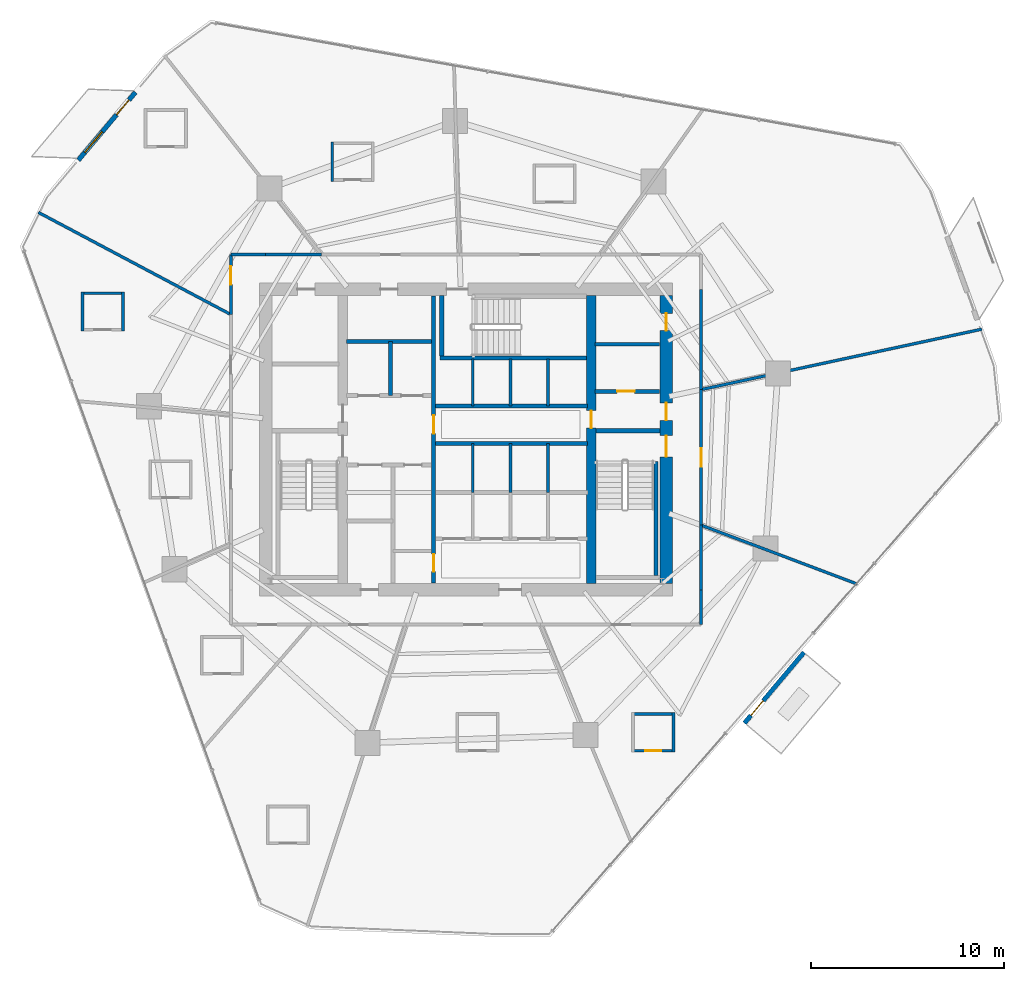
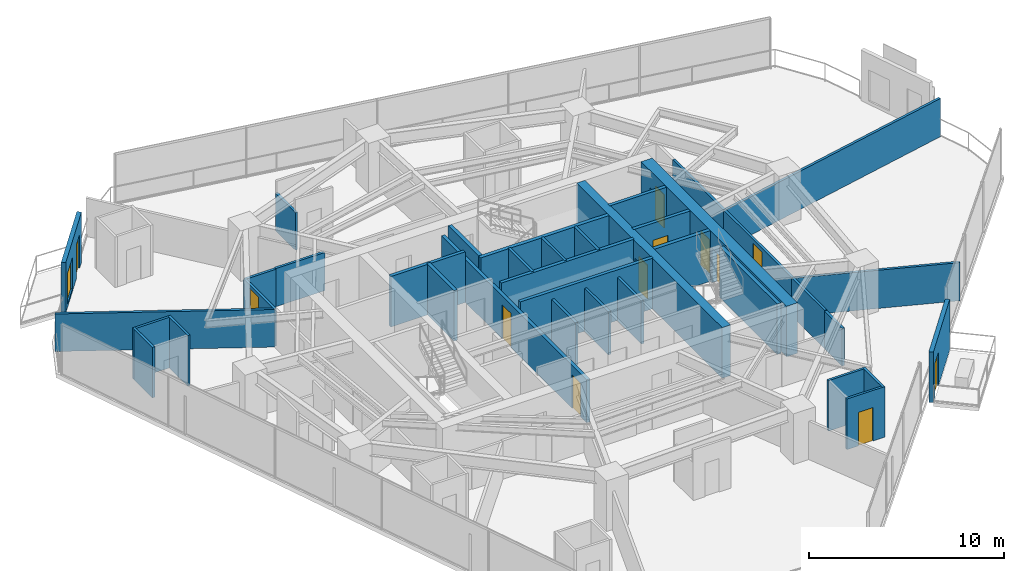
# One storey, part 28 of 33: 38 walls, 12 doors, 1 window, 13 openings.
"""IFC4 building model written with IfcOpenShell, lengths in metres."""

from ifc_helpers import new_model, si_unit, direction, frame, frame_2d, origin, place, context, subcontext, project, spatial, rectangle, extrude, material, layer, layer_set, type_object, element, fill, save


model = new_model("IFC4")

# Units and contexts
model_context = context("Model", 3, precision=1e-05, world=origin(), true_north=direction((0.0, 1.0)))
body_context = subcontext(model_context, "Body", "Model", "MODEL_VIEW")
ifc_project = project(units=[si_unit("LENGTHUNIT", "METRE"), si_unit("AREAUNIT", "SQUARE_METRE"), si_unit("VOLUMEUNIT", "CUBIC_METRE"), si_unit("PLANEANGLEUNIT", "RADIAN"), si_unit("MASSUNIT", "GRAM", prefix="KILO")], contexts=[model_context])

# Site, building, storey
site_placement = place(None, origin())
site = spatial("IfcSite", under=ifc_project, at=site_placement, CompositionType="ELEMENT")
building_placement = place(site_placement, origin())
building = spatial("IfcBuilding", under=site, at=building_placement, Name="Qarnah Convention Tower", CompositionType="ELEMENT")
storey_placement = place(building_placement, frame((0.0, 0.0, 30.449951171875)))
storey = spatial("IfcBuildingStorey", under=building, at=storey_placement, Name="L06", CompositionType="ELEMENT", Elevation=30.449951171875)

# Wall, openings, doors
ifc_material_1 = material(Name="Concrete C60/75", Category="concrete")
ifc_layer_1 = layer(ifc_material_1, 0.64990234375)
ifc_layer_set_1 = layer_set([ifc_layer_1], Name="Concrete C60/75")
wall_type_1 = type_object("IfcWallType", Name="WL-CORE-650", PredefinedType="SHEAR", material=ifc_layer_set_1)
wall_1_placement = place(storey_placement, frame((47.60009765625, 18.925048828125, 0.0), z_axis=(0.0, 0.0, 1.0), x_axis=(0.0, 1.0, 0.0)))
wall_1 = element("IfcWall", 1, at=wall_1_placement, inside=storey, type_object=wall_type_1, Name="L06 core east shear wall", PredefinedType="SHEAR", context=body_context, shape_type="SweptSolid", body=[
    extrude(rectangle(XDim=14.949951171875, YDim=0.64990234375, at=frame_2d((7.47509765625, 0.0))), origin(), (0.0, 0.0, 1.0), 3.170166015625),
])
opening_1_placement = place(wall_1_placement, frame((6.574951171875, 0.0, 0.0)))
opening_1 = element("IfcOpeningElement", 2, at=opening_1_placement, cuts=wall_1, Name="Opening D-0602", PredefinedType="OPENING", context=body_context, shape_type="SweptSolid", body=[
    extrude(rectangle(XDim=1.10009765625, YDim=2.14990234375, at=frame_2d((0.550048828125, 1.074951171875))), frame((0.0, 0.3349609375, 0.0), z_axis=(0.0, -1.0, 0.0), x_axis=(1.0, 0.0, 0.0)), (0.0, 0.0, 1.0), 0.669921875),
])
opening_2_placement = place(wall_1_placement, frame((8.47509765625, 0.0, 0.0)))
opening_2 = element("IfcOpeningElement", 3, at=opening_2_placement, cuts=wall_1, Name="Opening D-0606", PredefinedType="OPENING", context=body_context, shape_type="SweptSolid", body=[
    extrude(rectangle(XDim=0.89990234375, YDim=2.10009765625, at=frame_2d((0.449951171875, 1.050048828125))), frame((0.0, 0.3349609375, 0.0), z_axis=(0.0, -1.0, 0.0), x_axis=(1.0, 0.0, 0.0)), (0.0, 0.0, 1.0), 0.669921875),
])
opening_3_placement = place(wall_1_placement, frame((13.125, 0.0, 0.0)))
opening_3 = element("IfcOpeningElement", 4, at=opening_3_placement, cuts=wall_1, Name="Opening D-0612", PredefinedType="OPENING", context=body_context, shape_type="SweptSolid", body=[
    extrude(rectangle(XDim=0.89990234375, YDim=2.10009765625, at=frame_2d((0.449951171875, 1.050048828125))), frame((0.0, 0.3349609375, 0.0), z_axis=(0.0, -1.0, 0.0), x_axis=(1.0, 0.0, 0.0)), (0.0, 0.0, 1.0), 0.669921875),
])
ifc_material_2 = material(Name="Structural steel S355JR", Category="steel")
door_type_1 = type_object("IfcDoorType", Name="DT-RISER-900", OperationType="NOTDEFINED", PredefinedType="DOOR", material=ifc_material_2)
door_1_placement = place(opening_2_placement, origin())
door_1 = element("IfcDoor", 5, at=door_1_placement, inside=storey, type_object=door_type_1, Name="Door D-0606", OperationType="SINGLE_SWING_LEFT", OverallHeight=2.10009765625, OverallWidth=0.89990234375, PredefinedType="DOOR", context=body_context, shape_type="SweptSolid", body=[
    extrude(rectangle(XDim=0.89990234375, YDim=2.10009765625, at=frame_2d((0.449951171875, 1.050048828125))), frame((0.0, 0.02490234375, 0.0), z_axis=(0.0, -1.0, 0.0), x_axis=(1.0, 0.0, 0.0)), (0.0, 0.0, 1.0), 0.050048828125),
])
fill(opening_2, door_1)
door_2_placement = place(opening_3_placement, origin())
door_2 = element("IfcDoor", 6, at=door_2_placement, inside=storey, type_object=door_type_1, Name="Door D-0612", OperationType="SINGLE_SWING_LEFT", OverallHeight=2.10009765625, OverallWidth=0.89990234375, PredefinedType="DOOR", context=body_context, shape_type="SweptSolid", body=[
    extrude(rectangle(XDim=0.89990234375, YDim=2.10009765625, at=frame_2d((0.449951171875, 1.050048828125))), frame((0.0, 0.02490234375, 0.0), z_axis=(0.0, -1.0, 0.0), x_axis=(1.0, 0.0, 0.0)), (0.0, 0.0, 1.0), 0.050048828125),
])
fill(opening_3, door_2)
door_type_2 = type_object("IfcDoorType", Name="DT-STAIR-1100", OperationType="NOTDEFINED", PredefinedType="DOOR", material=ifc_material_2)
door_3_placement = place(opening_1_placement, origin())
door_3 = element("IfcDoor", 7, at=door_3_placement, inside=storey, type_object=door_type_2, Name="Door D-0602", OperationType="SINGLE_SWING_LEFT", OverallHeight=2.14990234375, OverallWidth=1.10009765625, PredefinedType="DOOR", context=body_context, shape_type="SweptSolid", body=[
    extrude(rectangle(XDim=1.10009765625, YDim=2.14990234375, at=frame_2d((0.550048828125, 1.074951171875))), frame((0.0, 0.02490234375, 0.0), z_axis=(0.0, -1.0, 0.0), x_axis=(1.0, 0.0, 0.0)), (0.0, 0.0, 1.0), 0.050048828125),
])
fill(opening_1, door_3)

# Wall, opening, door
ifc_layer_2 = layer(ifc_material_1, 0.5)
ifc_layer_set_2 = layer_set([ifc_layer_2], Name="Concrete C60/75")
wall_type_2 = type_object("IfcWallType", Name="WL-CORE-INT-400", PredefinedType="SHEAR", material=ifc_layer_set_2)
wall_2_placement = place(storey_placement, frame((43.699951171875, 18.925048828125, 0.0), z_axis=(0.0, 0.0, 1.0), x_axis=(0.0, 1.0, 0.0)))
wall_2 = element("IfcWall", 8, at=wall_2_placement, inside=storey, type_object=wall_type_2, Name="L06 core east spine shear wall", PredefinedType="SHEAR", context=body_context, shape_type="SweptSolid", body=[
    extrude(rectangle(XDim=14.949951171875, YDim=0.5, at=frame_2d((7.47509765625, 0.0))), origin(), (0.0, 0.0, 1.0), 3.170166015625),
])
opening_4_placement = place(wall_2_placement, frame((8.074951171875, 0.0, 0.0)))
opening_4 = element("IfcOpeningElement", 9, at=opening_4_placement, cuts=wall_2, Name="Opening D-0605", PredefinedType="OPENING", context=body_context, shape_type="SweptSolid", body=[
    extrude(rectangle(XDim=0.89990234375, YDim=2.10009765625, at=frame_2d((0.449951171875, 1.050048828125))), frame((0.0, 0.260009765625, 0.0), z_axis=(0.0, -1.0, 0.0), x_axis=(1.0, 0.0, 0.0)), (0.0, 0.0, 1.0), 0.52001953125),
])
door_4_placement = place(opening_4_placement, origin())
door_4 = element("IfcDoor", 10, at=door_4_placement, inside=storey, type_object=door_type_1, Name="Door D-0605", OperationType="SINGLE_SWING_RIGHT", OverallHeight=2.10009765625, OverallWidth=0.89990234375, PredefinedType="DOOR", context=body_context, shape_type="SweptSolid", body=[
    extrude(rectangle(XDim=0.89990234375, YDim=2.10009765625, at=frame_2d((0.449951171875, 1.050048828125))), frame((0.0, 0.02490234375, 0.0), z_axis=(0.0, -1.0, 0.0), x_axis=(1.0, 0.0, 0.0)), (0.0, 0.0, 1.0), 0.050048828125),
])
fill(opening_4, door_4)

ifc_material_3 = material(Name="Concrete C45/55", Category="concrete")
ifc_layer_3 = layer(ifc_material_3, 0.199951171875)
ifc_layer_set_3 = layer_set([ifc_layer_3], Name="Concrete C45/55")
wall_type_3 = type_object("IfcWallType", Name="WL-CORE-PART-200", PredefinedType="SOLIDWALL", material=ifc_layer_set_3)
wall_3_placement = place(storey_placement, frame((43.89990234375, 28.89990234375, 0.0), z_axis=(0.0, 0.0, 1.0), x_axis=(1.0, 0.0, 0.0)))
wall_3 = element("IfcWall", 11, at=wall_3_placement, inside=storey, type_object=wall_type_3, Name="L06 interior wall IW-L06-EVSTN", PredefinedType="SOLIDWALL", context=body_context, shape_type="SweptSolid", body=[
    extrude(rectangle(XDim=3.35009765625, YDim=0.199951171875, at=frame_2d((1.675048828125, 0.0))), origin(), (0.0, 0.0, 1.0), 3.170166015625),
])
opening_5_placement = place(wall_3_placement, frame((1.14990234375, 0.0, 0.0)))
opening_5 = element("IfcOpeningElement", 12, at=opening_5_placement, cuts=wall_3, Name="Opening D-0611", PredefinedType="OPENING", context=body_context, shape_type="SweptSolid", body=[
    extrude(rectangle(XDim=0.89990234375, YDim=2.10009765625, at=frame_2d((0.449951171875, 1.050048828125))), frame((0.0, 0.10986328125, 0.0), z_axis=(0.0, -1.0, 0.0), x_axis=(1.0, 0.0, 0.0)), (0.0, 0.0, 1.0), 0.219970703125),
])
door_5_placement = place(opening_5_placement, origin())
door_5 = element("IfcDoor", 13, at=door_5_placement, inside=storey, type_object=door_type_1, Name="Door D-0611", OperationType="SINGLE_SWING_RIGHT", OverallHeight=2.10009765625, OverallWidth=0.89990234375, PredefinedType="DOOR", context=body_context, shape_type="SweptSolid", body=[
    extrude(rectangle(XDim=0.89990234375, YDim=2.10009765625, at=frame_2d((0.449951171875, 1.050048828125))), frame((0.0, 0.02490234375, 0.0), z_axis=(0.0, -1.0, 0.0), x_axis=(1.0, 0.0, 0.0)), (0.0, 0.0, 1.0), 0.050048828125),
])
fill(opening_5, door_5)

# Wall
wall_4_placement = place(storey_placement, frame((43.89990234375, 31.35009765625, 0.0), z_axis=(0.0, 0.0, 1.0), x_axis=(1.0, 0.0, 0.0)))
element("IfcWall", 14, at=wall_4_placement, inside=storey, type_object=wall_type_3, Name="L06 interior wall IW-L06-WTRN", PredefinedType="SOLIDWALL", context=body_context, shape_type="SweptSolid", body=[
    extrude(rectangle(XDim=3.35009765625, YDim=0.199951171875, at=frame_2d((1.675048828125, 0.0))), origin(), (0.0, 0.0, 1.0), 3.170166015625),
])

# Wall, openings, doors
wall_5_placement = place(storey_placement, frame((35.52001953125, 18.949951171875, 0.0), z_axis=(0.0, 0.0, 1.0), x_axis=(0.0, 1.0, 0.0)))
wall_5 = element("IfcWall", 15, at=wall_5_placement, inside=storey, type_object=wall_type_3, Name="L06 interior wall IW-L06-CSP", PredefinedType="SOLIDWALL", context=body_context, shape_type="SweptSolid", body=[
    extrude(rectangle(XDim=14.900146484375, YDim=0.199951171875, at=frame_2d((7.4501953125, 0.0))), origin(), (0.0, 0.0, 1.0), 2.691162109375),
])
opening_6_placement = place(wall_5_placement, frame((7.7548828125, 0.0, 0.0)))
opening_6 = element("IfcOpeningElement", 16, at=opening_6_placement, cuts=wall_5, Name="Opening D-0604", PredefinedType="OPENING", context=body_context, shape_type="SweptSolid", body=[
    extrude(rectangle(XDim=0.949951171875, YDim=2.14990234375, at=frame_2d((0.47509765625, 1.074951171875))), frame((0.0, 0.10986328125, 0.0), z_axis=(0.0, -1.0, 0.0), x_axis=(1.0, 0.0, 0.0)), (0.0, 0.0, 1.0), 0.219970703125),
])
opening_7_placement = place(wall_5_placement, frame((0.60009765625, 0.0, 0.0)))
opening_7 = element("IfcOpeningElement", 17, at=opening_7_placement, cuts=wall_5, Name="Opening D-0614", PredefinedType="OPENING", context=body_context, shape_type="SweptSolid", body=[
    extrude(rectangle(XDim=0.89990234375, YDim=2.10009765625, at=frame_2d((0.449951171875, 1.050048828125))), frame((0.0, 0.10986328125, 0.0), z_axis=(0.0, -1.0, 0.0), x_axis=(1.0, 0.0, 0.0)), (0.0, 0.0, 1.0), 0.219970703125),
])
ifc_material_4 = material(Name="Oak timber veneer", Category="wood")
door_type_3 = type_object("IfcDoorType", Name="DT-HOTEL-950", OperationType="NOTDEFINED", PredefinedType="DOOR", material=ifc_material_4)
door_6_placement = place(opening_6_placement, origin())
door_6 = element("IfcDoor", 18, at=door_6_placement, inside=storey, type_object=door_type_3, Name="Door D-0604", OperationType="SINGLE_SWING_LEFT", OverallHeight=2.14990234375, OverallWidth=0.949951171875, PredefinedType="DOOR", context=body_context, shape_type="SweptSolid", body=[
    extrude(rectangle(XDim=0.949951171875, YDim=2.14990234375, at=frame_2d((0.47509765625, 1.074951171875))), frame((0.0, 0.02490234375, 0.0), z_axis=(0.0, -1.0, 0.0), x_axis=(1.0, 0.0, 0.0)), (0.0, 0.0, 1.0), 0.050048828125),
])
fill(opening_6, door_6)
door_7_placement = place(opening_7_placement, origin())
door_7 = element("IfcDoor", 19, at=door_7_placement, inside=storey, type_object=door_type_1, Name="Door D-0614", OperationType="SINGLE_SWING_LEFT", OverallHeight=2.10009765625, OverallWidth=0.89990234375, PredefinedType="DOOR", context=body_context, shape_type="SweptSolid", body=[
    extrude(rectangle(XDim=0.89990234375, YDim=2.10009765625, at=frame_2d((0.449951171875, 1.050048828125))), frame((0.0, 0.02490234375, 0.0), z_axis=(0.0, -1.0, 0.0), x_axis=(1.0, 0.0, 0.0)), (0.0, 0.0, 1.0), 0.050048828125),
])
fill(opening_7, door_7)

# Walls
wall_6_placement = place(storey_placement, frame((31.0, 31.5, 0.0), z_axis=(0.0, 0.0, 1.0), x_axis=(1.0, 0.0, 0.0)))
element("IfcWall", 20, at=wall_6_placement, inside=storey, type_object=wall_type_3, Name="L06 interior wall IW-L06-FFLN", PredefinedType="SOLIDWALL", context=body_context, shape_type="SweptSolid", body=[
    extrude(rectangle(XDim=4.419921875, YDim=0.199951171875, at=frame_2d((2.2099609375, 0.0))), origin(), (0.0, 0.0, 1.0), 3.170166015625),
])
wall_7_placement = place(storey_placement, frame((33.280029296875, 28.679931640625, 0.0), z_axis=(0.0, 0.0, 1.0), x_axis=(0.0, 1.0, 0.0)))
element("IfcWall", 21, at=wall_7_placement, inside=storey, type_object=wall_type_3, Name="L06 interior wall IW-L06-FFLM", PredefinedType="SOLIDWALL", context=body_context, shape_type="SweptSolid", body=[
    extrude(rectangle(XDim=2.820068359375, YDim=0.199951171875, at=frame_2d((1.41015625, 0.0))), origin(), (0.0, 0.0, 1.0), 3.170166015625),
])
for number, where, z_axis, x_axis, name in (
    (22, (35.6201171875, 28.14990234375, 0.0), (0.0, 0.0, 1.0), (1.0, 0.0, 0.0), "L06 interior wall IW-L06-PHS"),
    (23, (35.6201171875, 26.199951171875, 0.0), (0.0, 0.0, 1.0), (1.0, 0.0, 0.0), "L06 interior wall IW-L06-PMN"),
):
    element("IfcWall", number, at=place(storey_placement, frame(where, z_axis=z_axis, x_axis=x_axis)), inside=storey, type_object=wall_type_3, Name=name, PredefinedType="SOLIDWALL", context=body_context, shape_type="SweptSolid", body=[
        extrude(rectangle(XDim=7.8798828125, YDim=0.199951171875, at=frame_2d((3.93994140625, 0.0))), origin(), (0.0, 0.0, 1.0), 3.170166015625),
    ])
ifc_layer_4 = layer(ifc_material_1, 0.219970703125)
ifc_layer_set_4 = layer_set([ifc_layer_4], Name="Concrete C60/75")
wall_type_4 = type_object("IfcWallType", Name="WL-CORE-STAIR-220", PredefinedType="SHEAR", material=ifc_layer_set_4)
wall_8_placement = place(storey_placement, frame((43.949951171875, 26.860107421875, 0.0), z_axis=(0.0, 0.0, 1.0), x_axis=(1.0, 0.0, 0.0)))
element("IfcWall", 24, at=wall_8_placement, inside=storey, type_object=wall_type_4, Name="L06 stair shaft shear wall SW-L06-ST2N", PredefinedType="SHEAR", context=body_context, shape_type="SweptSolid", body=[
    extrude(rectangle(XDim=3.324951171875, YDim=0.219970703125, at=frame_2d((1.66259765625, 0.0))), origin(), (0.0, 0.0, 1.0), 3.170166015625),
])
wall_9_placement = place(storey_placement, frame((47.06005859375, 19.35009765625, 0.0), z_axis=(0.0, 0.0, 1.0), x_axis=(0.0, 1.0, 0.0)))
element("IfcWall", 25, at=wall_9_placement, inside=storey, type_object=wall_type_4, Name="L06 stair shaft shear wall SW-L06-ST2E", PredefinedType="SHEAR", context=body_context, shape_type="SweptSolid", body=[
    extrude(rectangle(XDim=5.89990234375, YDim=0.219970703125, at=frame_2d((2.949951171875, 0.0))), origin(), (0.0, 0.0, 1.0), 3.170166015625),
])
wall_10_placement = place(storey_placement, frame((35.840087890625, 30.639892578125, 0.0), z_axis=(0.0, 0.0, 1.0), x_axis=(1.0, 0.0, 0.0)))
element("IfcWall", 26, at=wall_10_placement, inside=storey, type_object=wall_type_4, Name="L06 stair shaft shear wall SW-L06-ST3S", PredefinedType="SHEAR", context=body_context, shape_type="SweptSolid", body=[
    extrude(rectangle(XDim=7.60986328125, YDim=0.219970703125, at=frame_2d((3.804931640625, 0.0))), origin(), (0.0, 0.0, 1.0), 3.170166015625),
])
wall_11_placement = place(storey_placement, frame((35.93994140625, 30.75, 0.0), z_axis=(0.0, 0.0, 1.0), x_axis=(0.0, 1.0, 0.0)))
element("IfcWall", 27, at=wall_11_placement, inside=storey, type_object=wall_type_4, Name="L06 stair shaft shear wall SW-L06-ST3W", PredefinedType="SHEAR", context=body_context, shape_type="SweptSolid", body=[
    extrude(rectangle(XDim=3.125, YDim=0.219970703125, at=frame_2d((1.5625, 0.0))), origin(), (0.0, 0.0, 1.0), 3.170166015625),
])

# Wall, openings, door, window
ifc_material_5 = material(Name="Precast concrete C45/55", Category="concrete")
ifc_layer_5 = layer(ifc_material_5, 0.239990234375)
ifc_layer_set_5 = layer_set([ifc_layer_5], Name="Precast concrete C45/55")
wall_type_5 = type_object("IfcWallType", Name="WL-EXT-BAL-240", PredefinedType="SOLIDWALL", material=ifc_layer_set_5)
wall_12_placement = place(storey_placement, frame((17.080078125, 40.906982421875, 0.0), z_axis=(0.0, 0.0, 1.0), x_axis=(0.6438415355, 0.765158857471, 0.0)))
wall_12 = element("IfcWall", 28, at=wall_12_placement, inside=storey, type_object=wall_type_5, Name="L06 loggia threshold wall BAL-L06-C2", PredefinedType="SOLIDWALL", context=body_context, shape_type="SweptSolid", body=[
    extrude(rectangle(XDim=4.600341796875, YDim=0.239990234375, at=frame_2d((2.30029296875, 0.0))), origin(), (0.0, 0.0, 1.0), 3.170166015625),
])
opening_8_placement = place(wall_12_placement, frame((3.080078125, 0.0, 0.0)))
opening_8 = element("IfcOpeningElement", 29, at=opening_8_placement, cuts=wall_12, Name="Opening BD-0602", PredefinedType="OPENING", context=body_context, shape_type="SweptSolid", body=[
    extrude(rectangle(XDim=1.0, YDim=2.14990234375, at=frame_2d((0.5, 1.074951171875))), frame((0.0, 0.1298828125, 0.0), z_axis=(0.0, -1.0, 0.0), x_axis=(1.0, 0.0, 0.0)), (0.0, 0.0, 1.0), 0.260009765625),
])
opening_9_placement = place(wall_12_placement, frame((0.52001953125, 0.0, 0.199951171875)))
opening_9 = element("IfcOpeningElement", 30, at=opening_9_placement, cuts=wall_12, Name="Opening WN4", PredefinedType="OPENING", context=body_context, shape_type="SweptSolid", body=[
    extrude(rectangle(XDim=1.39990234375, YDim=1.949951171875, at=frame_2d((0.699951171875, 0.97509765625))), frame((0.0, 0.1298828125, 0.0), z_axis=(0.0, -1.0, 0.0), x_axis=(1.0, 0.0, 0.0)), (0.0, 0.0, 1.0), 0.260009765625),
])
ifc_material_6 = material(Name="Black anodised aluminium", Category="aluminium")
door_type_4 = type_object("IfcDoorType", Name="DT-BAL-1000", OperationType="NOTDEFINED", PredefinedType="DOOR", material=ifc_material_6)
door_8_placement = place(opening_8_placement, origin())
door_8 = element("IfcDoor", 31, at=door_8_placement, inside=storey, type_object=door_type_4, Name="L06 balcony terrace door BAL-L06-C2", OperationType="SINGLE_SWING_LEFT", OverallHeight=2.14990234375, OverallWidth=1.0, PredefinedType="DOOR", context=body_context, shape_type="SweptSolid", body=[
    extrude(rectangle(XDim=1.0, YDim=2.14990234375, at=frame_2d((0.5, 1.074951171875))), frame((0.0, 0.02490234375, 0.0), z_axis=(0.0, -1.0, 0.0), x_axis=(1.0, 0.0, 0.0)), (0.0, 0.0, 1.0), 0.050048828125),
])
fill(opening_8, door_8)
ifc_material_7 = material(Name="Tempered Low-E dark glass", Category="glass")
window_type = type_object("IfcWindowType", Name="WT-BAL-1400X2000", PartitioningType="SINGLE_PANEL", PredefinedType="WINDOW", material=ifc_material_7)
window_placement = place(opening_9_placement, origin())
window = element("IfcWindow", 32, at=window_placement, inside=storey, type_object=window_type, Name="Window BW-BAL-L06-C2", OverallHeight=1.949951171875, OverallWidth=1.39990234375, PartitioningType="SINGLE_PANEL", PredefinedType="WINDOW", context=body_context, shape_type="SweptSolid", body=[
    extrude(rectangle(XDim=1.39990234375, YDim=1.949951171875, at=frame_2d((0.699951171875, 0.97509765625))), frame((0.0, 0.030029296875, 0.0), z_axis=(0.0, -1.0, 0.0), x_axis=(1.0, 0.0, 0.0)), (0.0, 0.0, 1.0), 0.06005859375),
])
fill(opening_9, window)

# Wall, opening, door
wall_13_placement = place(storey_placement, frame((54.7451171875, 15.35498046875, 0.0), z_axis=(0.0, 0.0, 1.0), x_axis=(-0.643889761351, -0.765118275319, 0.0)))
wall_13 = element("IfcWall", 33, at=wall_13_placement, inside=storey, type_object=wall_type_5, Name="L06 loggia threshold wall VN-L06", PredefinedType="SOLIDWALL", context=body_context, shape_type="SweptSolid", body=[
    extrude(rectangle(XDim=4.799072265625, YDim=0.239990234375, at=frame_2d((2.3994140625, 0.0))), origin(), (0.0, 0.0, 1.0), 3.170166015625),
])
opening_10_placement = place(wall_13_placement, frame((3.279052734375, 0.0, 0.0)))
opening_10 = element("IfcOpeningElement", 34, at=opening_10_placement, cuts=wall_13, Name="Opening BD-0603", PredefinedType="OPENING", context=body_context, shape_type="SweptSolid", body=[
    extrude(rectangle(XDim=1.0, YDim=2.14990234375, at=frame_2d((0.5, 1.074951171875))), frame((0.0, 0.1298828125, 0.0), z_axis=(0.0, -1.0, 0.0), x_axis=(1.0, 0.0, 0.0)), (0.0, 0.0, 1.0), 0.260009765625),
])
door_9_placement = place(opening_10_placement, origin())
door_9 = element("IfcDoor", 35, at=door_9_placement, inside=storey, type_object=door_type_4, Name="L06 balcony terrace door VN-L06", OperationType="SINGLE_SWING_RIGHT", OverallHeight=2.14990234375, OverallWidth=1.0, PredefinedType="DOOR", context=body_context, shape_type="SweptSolid", body=[
    extrude(rectangle(XDim=1.0, YDim=2.14990234375, at=frame_2d((0.5, 1.074951171875))), frame((0.0, 0.02490234375, 0.0), z_axis=(0.0, -1.0, 0.0), x_axis=(1.0, 0.0, 0.0)), (0.0, 0.0, 1.0), 0.050048828125),
])
fill(opening_10, door_9)

# Walls
ifc_material_8 = material(Name="Gypsum partition board")
ifc_layer_6 = layer(ifc_material_8, 0.14990234375)
ifc_layer_set_6 = layer_set([ifc_layer_6], Name="Gypsum partition board")
wall_type_6 = type_object("IfcWallType", Name="WL-SUITE-150", PredefinedType="PARTITIONING", material=ifc_layer_set_6)
for number, where, z_axis, x_axis, name in (
    (36, (37.550048828125, 28.14990234375, 0.0), (0.0, 0.0, 1.0), (0.0, 1.0, 0.0), "L06 interior wall IW-L06-PHD1"),
    (37, (39.5, 28.14990234375, 0.0), (0.0, 0.0, 1.0), (0.0, 1.0, 0.0), "L06 interior wall IW-L06-PHD2"),
    (38, (41.449951171875, 28.14990234375, 0.0), (0.0, 0.0, 1.0), (0.0, 1.0, 0.0), "L06 interior wall IW-L06-PHD3"),
):
    element("IfcWall", number, at=place(storey_placement, frame(where, z_axis=z_axis, x_axis=x_axis)), inside=storey, type_object=wall_type_6, Name=name, PredefinedType="PARTITIONING", context=body_context, shape_type="SweptSolid", body=[
        extrude(rectangle(XDim=2.43017578125, YDim=0.14990234375, at=frame_2d((1.215087890625, 0.0))), origin(), (0.0, 0.0, 1.0), 3.170166015625),
    ])
for number, where, z_axis, x_axis, name in (
    (39, (37.550048828125, 23.64990234375, 0.0), (0.0, 0.0, 1.0), (0.0, 1.0, 0.0), "L06 interior wall IW-L06-PMD1"),
    (40, (39.5, 23.64990234375, 0.0), (0.0, 0.0, 1.0), (0.0, 1.0, 0.0), "L06 interior wall IW-L06-PMD2"),
    (41, (41.449951171875, 23.64990234375, 0.0), (0.0, 0.0, 1.0), (0.0, 1.0, 0.0), "L06 interior wall IW-L06-PMD3"),
):
    element("IfcWall", number, at=place(storey_placement, frame(where, z_axis=z_axis, x_axis=x_axis)), inside=storey, type_object=wall_type_6, Name=name, PredefinedType="PARTITIONING", context=body_context, shape_type="SweptSolid", body=[
        extrude(rectangle(XDim=2.550048828125, YDim=0.14990234375, at=frame_2d((1.27490234375, 0.0))), origin(), (0.0, 0.0, 1.0), 2.691162109375),
    ])
wall_14_placement = place(storey_placement, frame((49.39990234375, 34.199951171875, 0.0), z_axis=(0.0, 0.0, 1.0), x_axis=(0.0, -1.0, 0.0)))
element("IfcWall", 42, at=wall_14_placement, inside=storey, type_object=wall_type_6, Name="L06 interior wall IW-L06-R-40", PredefinedType="PARTITIONING", context=body_context, shape_type="SweptSolid", body=[
    extrude(rectangle(XDim=5.20703125, YDim=0.14990234375, at=frame_2d((2.603515625, 0.0))), origin(), (0.0, 0.0, 1.0), 2.39501953125),
])
wall_15_placement = place(storey_placement, frame((49.39990234375, 28.992919921875, 0.0), z_axis=(0.0, 0.0, 1.0), x_axis=(0.977598429546, 0.21047876508, 0.0)))
element("IfcWall", 43, at=wall_15_placement, inside=storey, type_object=wall_type_6, Name="L06 interior wall IW-L06-R-41", PredefinedType="PARTITIONING", context=body_context, shape_type="SweptSolid", body=[
    extrude(rectangle(XDim=14.904052734375, YDim=0.14990234375, at=frame_2d((7.4521484375, 0.0))), origin(), (0.0, 0.0, 1.0), 2.39501953125),
])
wall_16_placement = place(storey_placement, frame((15.006103515625, 38.19091796875, 0.0), z_axis=(0.0, 0.0, 1.0), x_axis=(0.883309816115, -0.468789684991, 0.0)))
element("IfcWall", 44, at=wall_16_placement, inside=storey, type_object=wall_type_6, Name="L06 interior wall IW-L06-R-46", PredefinedType="PARTITIONING", context=body_context, shape_type="SweptSolid", body=[
    extrude(rectangle(XDim=11.314208984375, YDim=0.14990234375, at=frame_2d((5.6572265625, 0.0))), origin(), (0.0, 0.0, 1.0), 2.35498046875),
])

# Wall, opening, door
wall_17_placement = place(storey_placement, frame((25.0, 32.886962890625, 0.0), z_axis=(0.0, 0.0, 1.0), x_axis=(0.0, 1.0, 0.0)))
wall_17 = element("IfcWall", 45, at=wall_17_placement, inside=storey, type_object=wall_type_6, Name="L06 interior wall IW-L06-R-47", PredefinedType="PARTITIONING", context=body_context, shape_type="SweptSolid", body=[
    extrude(rectangle(XDim=3.113037109375, YDim=0.14990234375, at=frame_2d((1.556640625, 0.0))), origin(), (0.0, 0.0, 1.0), 2.35498046875),
])
opening_11_placement = place(wall_17_placement, frame((1.56201171875, 0.0, 0.0)))
opening_11 = element("IfcOpeningElement", 46, at=opening_11_placement, cuts=wall_17, Name="Opening D-0621", PredefinedType="OPENING", context=body_context, shape_type="SweptSolid", body=[
    extrude(rectangle(XDim=0.949951171875, YDim=2.14990234375, at=frame_2d((0.47509765625, 1.074951171875))), frame((0.0, 0.0849609375, 0.0), z_axis=(0.0, -1.0, 0.0), x_axis=(1.0, 0.0, 0.0)), (0.0, 0.0, 1.0), 0.169921875),
])
door_10_placement = place(opening_11_placement, origin())
door_10 = element("IfcDoor", 47, at=door_10_placement, inside=storey, type_object=door_type_3, Name="Door D-0621", OperationType="SINGLE_SWING_RIGHT", OverallHeight=2.14990234375, OverallWidth=0.949951171875, PredefinedType="DOOR", context=body_context, shape_type="SweptSolid", body=[
    extrude(rectangle(XDim=0.949951171875, YDim=2.14990234375, at=frame_2d((0.47509765625, 1.074951171875))), frame((0.0, 0.02490234375, 0.0), z_axis=(0.0, -1.0, 0.0), x_axis=(1.0, 0.0, 0.0)), (0.0, 0.0, 1.0), 0.050048828125),
])
fill(opening_11, door_10)

# Walls
wall_18_placement = place(storey_placement, frame((25.0, 36.0, 0.0), z_axis=(0.0, 0.0, 1.0), x_axis=(1.0, 0.0, 0.0)))
element("IfcWall", 48, at=wall_18_placement, inside=storey, type_object=wall_type_6, Name="L06 interior wall IW-L06-R-48", PredefinedType="PARTITIONING", context=body_context, shape_type="SweptSolid", body=[
    extrude(rectangle(XDim=1.800048828125, YDim=0.14990234375, at=frame_2d((0.89990234375, 0.0))), origin(), (0.0, 0.0, 1.0), 2.35498046875),
])
wall_19_placement = place(storey_placement, frame((26.800048828125, 36.0, 0.0), z_axis=(0.0, 0.0, 1.0), x_axis=(1.0, 0.0, 0.0)))
element("IfcWall", 49, at=wall_19_placement, inside=storey, type_object=wall_type_6, Name="L06 interior wall IW-L06-R-49", PredefinedType="PARTITIONING", context=body_context, shape_type="SweptSolid", body=[
    extrude(rectangle(XDim=2.89990234375, YDim=0.14990234375, at=frame_2d((1.449951171875, 0.0))), origin(), (0.0, 0.0, 1.0), 2.39501953125),
])
wall_20_placement = place(storey_placement, frame((57.51708984375, 18.89794921875, 0.0), z_axis=(0.0, 0.0, 1.0), x_axis=(-0.935642753888, 0.352948490714, 0.0)))
element("IfcWall", 50, at=wall_20_placement, inside=storey, type_object=wall_type_6, Name="L06 interior wall IW-L06-R-62", PredefinedType="PARTITIONING", context=body_context, shape_type="SweptSolid", body=[
    extrude(rectangle(XDim=8.675537109375, YDim=0.14990234375, at=frame_2d((4.337890625, 0.0))), origin(), (0.0, 0.0, 1.0), 2.39501953125),
])
wall_21_placement = place(storey_placement, frame((49.39990234375, 21.9599609375, 0.0), z_axis=(0.0, 0.0, 1.0), x_axis=(0.0, -1.0, 0.0)))
element("IfcWall", 51, at=wall_21_placement, inside=storey, type_object=wall_type_6, Name="L06 interior wall IW-L06-R-63", PredefinedType="PARTITIONING", context=body_context, shape_type="SweptSolid", body=[
    extrude(rectangle(XDim=3.35986328125, YDim=0.14990234375, at=frame_2d((1.679931640625, 0.0))), origin(), (0.0, 0.0, 1.0), 2.39501953125),
])
wall_22_placement = place(storey_placement, frame((49.39990234375, 18.60009765625, 0.0), z_axis=(0.0, 0.0, 1.0), x_axis=(0.0, -1.0, 0.0)))
element("IfcWall", 52, at=wall_22_placement, inside=storey, type_object=wall_type_6, Name="L06 interior wall IW-L06-R-64", PredefinedType="PARTITIONING", context=body_context, shape_type="SweptSolid", body=[
    extrude(rectangle(XDim=1.800048828125, YDim=0.14990234375, at=frame_2d((0.89990234375, 0.0))), origin(), (0.0, 0.0, 1.0), 2.35498046875),
])

# Wall, opening, door
wall_23_placement = place(storey_placement, frame((49.39990234375, 28.992919921875, 0.0), z_axis=(0.0, 0.0, 1.0), x_axis=(0.0, -1.0, 0.0)))
wall_23 = element("IfcWall", 53, at=wall_23_placement, inside=storey, type_object=wall_type_6, Name="L06 interior wall IW-L06-R-66", PredefinedType="PARTITIONING", context=body_context, shape_type="SweptSolid", body=[
    extrude(rectangle(XDim=7.032958984375, YDim=0.14990234375, at=frame_2d((3.5166015625, 0.0))), origin(), (0.0, 0.0, 1.0), 2.39501953125),
])
opening_12_placement = place(wall_23_placement, frame((3.041015625, 0.0, 0.0)))
opening_12 = element("IfcOpeningElement", 54, at=opening_12_placement, cuts=wall_23, Name="Opening D-0635", PredefinedType="OPENING", context=body_context, shape_type="SweptSolid", body=[
    extrude(rectangle(XDim=0.949951171875, YDim=2.14990234375, at=frame_2d((0.47509765625, 1.074951171875))), frame((0.0, 0.0849609375, 0.0), z_axis=(0.0, -1.0, 0.0), x_axis=(1.0, 0.0, 0.0)), (0.0, 0.0, 1.0), 0.169921875),
])
door_11_placement = place(opening_12_placement, origin())
door_11 = element("IfcDoor", 55, at=door_11_placement, inside=storey, type_object=door_type_3, Name="Door D-0635", OperationType="SINGLE_SWING_RIGHT", OverallHeight=2.14990234375, OverallWidth=0.949951171875, PredefinedType="DOOR", context=body_context, shape_type="SweptSolid", body=[
    extrude(rectangle(XDim=0.949951171875, YDim=2.14990234375, at=frame_2d((0.47509765625, 1.074951171875))), frame((0.0, 0.02490234375, 0.0), z_axis=(0.0, -1.0, 0.0), x_axis=(1.0, 0.0, 0.0)), (0.0, 0.0, 1.0), 0.050048828125),
])
fill(opening_12, door_11)

# Walls
ifc_layer_7 = layer(ifc_material_8, 0.139892578125)
ifc_layer_set_7 = layer_set([ifc_layer_7], Name="Gypsum partition board")
wall_type_7 = type_object("IfcWallType", Name="WL-WET-140", PredefinedType="PARTITIONING", material=ifc_layer_set_7)
wall_24_placement = place(storey_placement, frame((30.260986328125, 41.84912109375, 0.0), z_axis=(0.0, 0.0, 1.0), x_axis=(0.0, -1.0, 0.0)))
element("IfcWall", 56, at=wall_24_placement, inside=storey, type_object=wall_type_7, Name="L06 interior wall IW-L06-ENS02-4", PredefinedType="PARTITIONING", context=body_context, shape_type="SweptSolid", body=[
    extrude(rectangle(XDim=2.0400390625, YDim=0.139892578125, at=frame_2d((1.02001953125, 0.0))), origin(), (0.0, 0.0, 1.0), 2.35498046875),
])
wall_25_placement = place(storey_placement, frame((19.39208984375, 32.02490234375, 0.0), z_axis=(0.0, 0.0, 1.0), x_axis=(0.0, 1.0, 0.0)))
element("IfcWall", 57, at=wall_25_placement, inside=storey, type_object=wall_type_7, Name="L06 interior wall IW-L06-ENS04-2", PredefinedType="PARTITIONING", context=body_context, shape_type="SweptSolid", body=[
    extrude(rectangle(XDim=2.0400390625, YDim=0.139892578125, at=frame_2d((1.02001953125, 0.0))), origin(), (0.0, 0.0, 1.0), 3.170166015625),
])
wall_26_placement = place(storey_placement, frame((19.4619140625, 33.9951171875, 0.0), z_axis=(0.0, 0.0, 1.0), x_axis=(-1.0, 0.0, 0.0)))
element("IfcWall", 58, at=wall_26_placement, inside=storey, type_object=wall_type_7, Name="L06 interior wall IW-L06-ENS04-3", PredefinedType="PARTITIONING", context=body_context, shape_type="SweptSolid", body=[
    extrude(rectangle(XDim=2.239990234375, YDim=0.139892578125, at=frame_2d((1.1201171875, 0.0))), origin(), (0.0, 0.0, 1.0), 3.170166015625),
])
wall_27_placement = place(storey_placement, frame((17.2919921875, 34.06494140625, 0.0), z_axis=(0.0, 0.0, 1.0), x_axis=(0.0, -1.0, 0.0)))
element("IfcWall", 59, at=wall_27_placement, inside=storey, type_object=wall_type_7, Name="L06 interior wall IW-L06-ENS04-4", PredefinedType="PARTITIONING", context=body_context, shape_type="SweptSolid", body=[
    extrude(rectangle(XDim=2.0400390625, YDim=0.139892578125, at=frame_2d((1.02001953125, 0.0))), origin(), (0.0, 0.0, 1.0), 3.170166015625),
])

# Wall, opening, door
wall_28_placement = place(storey_placement, frame((45.802001953125, 10.25390625, 0.0), z_axis=(0.0, 0.0, 1.0), x_axis=(1.0, 0.0, 0.0)))
wall_28 = element("IfcWall", 60, at=wall_28_placement, inside=storey, type_object=wall_type_7, Name="L06 interior wall IW-L06-ENS09-1", PredefinedType="PARTITIONING", context=body_context, shape_type="SweptSolid", body=[
    extrude(rectangle(XDim=2.239990234375, YDim=0.139892578125, at=frame_2d((1.1201171875, 0.0))), origin(), (0.0, 0.0, 1.0), 3.170166015625),
])
opening_13_placement = place(wall_28_placement, frame((0.695068359375, 0.0, 0.0)))
opening_13 = element("IfcOpeningElement", 61, at=opening_13_placement, cuts=wall_28, Name="Opening D-0634", PredefinedType="OPENING", context=body_context, shape_type="SweptSolid", body=[
    extrude(rectangle(XDim=0.85009765625, YDim=2.10009765625, at=frame_2d((0.425048828125, 1.050048828125))), frame((0.0, 0.079833984375, 0.0), z_axis=(0.0, -1.0, 0.0), x_axis=(1.0, 0.0, 0.0)), (0.0, 0.0, 1.0), 0.159912109375),
])
door_type_5 = type_object("IfcDoorType", Name="DT-BATH-850", OperationType="NOTDEFINED", PredefinedType="DOOR", material=ifc_material_4)
door_12_placement = place(opening_13_placement, origin())
door_12 = element("IfcDoor", 62, at=door_12_placement, inside=storey, type_object=door_type_5, Name="Door D-0634", OperationType="SINGLE_SWING_LEFT", OverallHeight=2.10009765625, OverallWidth=0.85009765625, PredefinedType="DOOR", context=body_context, shape_type="SweptSolid", body=[
    extrude(rectangle(XDim=0.85009765625, YDim=2.10009765625, at=frame_2d((0.425048828125, 1.050048828125))), frame((0.0, 0.02490234375, 0.0), z_axis=(0.0, -1.0, 0.0), x_axis=(1.0, 0.0, 0.0)), (0.0, 0.0, 1.0), 0.050048828125),
])
fill(opening_13, door_12)

# Walls
wall_29_placement = place(storey_placement, frame((47.971923828125, 10.18408203125, 0.0), z_axis=(0.0, 0.0, 1.0), x_axis=(0.0, 1.0, 0.0)))
element("IfcWall", 63, at=wall_29_placement, inside=storey, type_object=wall_type_7, Name="L06 interior wall IW-L06-ENS09-2", PredefinedType="PARTITIONING", context=body_context, shape_type="SweptSolid", body=[
    extrude(rectangle(XDim=2.0400390625, YDim=0.139892578125, at=frame_2d((1.02001953125, 0.0))), origin(), (0.0, 0.0, 1.0), 3.170166015625),
])
wall_30_placement = place(storey_placement, frame((48.0419921875, 12.154052734375, 0.0), z_axis=(0.0, 0.0, 1.0), x_axis=(-1.0, 0.0, 0.0)))
element("IfcWall", 64, at=wall_30_placement, inside=storey, type_object=wall_type_7, Name="L06 interior wall IW-L06-ENS09-3", PredefinedType="PARTITIONING", context=body_context, shape_type="SweptSolid", body=[
    extrude(rectangle(XDim=2.239990234375, YDim=0.139892578125, at=frame_2d((1.1201171875, 0.0))), origin(), (0.0, 0.0, 1.0), 3.170166015625),
])

save(model, "model.ifc")
